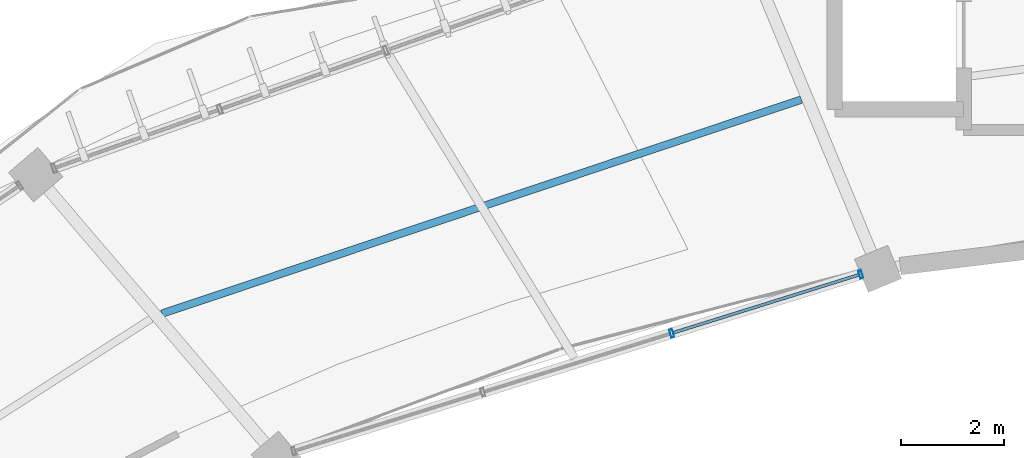
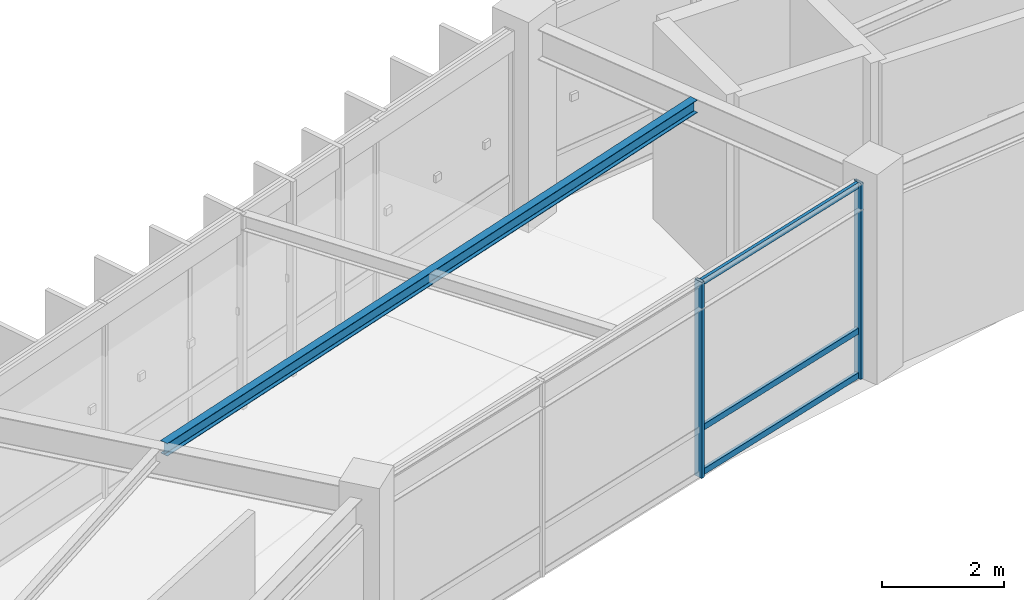
# One storey, part 70 of 152: 5 members, 1 beam, 1 element without a shape of its own.
"""IFC4 building model written with IfcOpenShell, lengths in metres."""

import ifcopenshell
import ifcopenshell.guid

model = None  # the IFC model being written
_history = None  # IfcOwnerHistory: only IFC2X3 demands one
_inside = {}  # id of a spatial element -> (the spatial element, [elements in it])
_under = {}  # id of a project, library or spatial element -> (it, [spatial elements below it])
_declared = {}  # id of a project -> (the project, [libraries it declares])
_typed = {}  # id of a type object -> (the type object, [elements of that type])
_made_of = {}  # id of a material, layer set ... -> (it, [elements and type objects made of it])


def new_model(schema):
    """Start an empty IFC model of exactly this schema.

    Asked for "IFC4X3", IfcOpenShell would pick the latest addendum, in which some entities
    have other attributes; the version numbers below select the first issue.
    IFC2X3 requires an IfcOwnerHistory on every rooted entity: one is made here for all.
    """
    global model, _history
    if schema == "IFC4X3":
        model = ifcopenshell.file(schema_version=(4, 3, 0, 0))
    else:
        model = ifcopenshell.file(schema=schema)
    _inside.clear()
    _under.clear()
    _declared.clear()
    _typed.clear()
    _made_of.clear()
    _history = None
    if model.schema == "IFC2X3":
        org = make("IfcOrganization", Name="unknown")
        user = make(
            "IfcPersonAndOrganization",
            ThePerson=make("IfcPerson", FamilyName="unknown"),
            TheOrganization=org,
        )
        app = make(
            "IfcApplication",
            ApplicationDeveloper=org,
            Version="unknown",
            ApplicationFullName="unknown",
            ApplicationIdentifier="unknown",
        )
        _history = make(
            "IfcOwnerHistory",
            OwningUser=user,
            OwningApplication=app,
            ChangeAction="ADDED",
            CreationDate=0,
        )
    return model


def make(cls, **values):
    """One entity of the class cls with the attributes given. An attribute that is None is left unset."""
    return model.create_entity(
        cls, **{name: value for name, value in values.items() if value is not None}
    )


def rooted(cls, **values):
    """An entity with a GlobalId (a new one), such as an element, a storey or a relation."""
    return make(cls, GlobalId=ifcopenshell.guid.new(), OwnerHistory=_history, **values)


def si_unit(unit_type, name, prefix=None):
    """IfcSIUnit, for example si_unit("LENGTHUNIT", "METRE", prefix="MILLI")."""
    return make("IfcSIUnit", UnitType=unit_type, Prefix=prefix, Name=name)


def assignment(units):
    """IfcUnitAssignment: the units of a project."""
    return None if units is None else make("IfcUnitAssignment", Units=units)


def point(xyz):
    """IfcCartesianPoint."""
    return None if xyz is None else make("IfcCartesianPoint", Coordinates=xyz)


def direction(xyz):
    """IfcDirection."""
    return None if xyz is None else make("IfcDirection", DirectionRatios=xyz)


def frame(location, z_axis=None, x_axis=None):
    """IfcAxis2Placement3D, a coordinate frame: its origin and axes. An axis left out is left unset."""
    return make(
        "IfcAxis2Placement3D",
        Location=point(location),
        Axis=direction(z_axis),
        RefDirection=direction(x_axis),
    )


def frame_2d(location, x_axis=None):
    """IfcAxis2Placement2D, a coordinate frame in the plane: its origin and x axis."""
    return make(
        "IfcAxis2Placement2D", Location=point(location), RefDirection=direction(x_axis)
    )


def origin():
    """The frame at (0, 0, 0) with its axes left unset."""
    return frame((0.0, 0.0, 0.0))


def origin_2d():
    """The frame at (0, 0) in the plane with its x axis left unset."""
    return frame_2d((0.0, 0.0))


def place(relative_to, where):
    """IfcLocalPlacement: puts the frame where relative to a parent placement (None: the world)."""
    return make(
        "IfcLocalPlacement", PlacementRelTo=relative_to, RelativePlacement=where
    )


def context(
    kind, dimensions, precision=None, world=None, true_north=None, identifier=None
):
    """IfcGeometricRepresentationContext, for example the 3D "Model" context."""
    return make(
        "IfcGeometricRepresentationContext",
        ContextIdentifier=identifier,
        ContextType=kind,
        CoordinateSpaceDimension=dimensions,
        Precision=precision,
        WorldCoordinateSystem=world,
        TrueNorth=true_north,
    )


def subcontext(parent, identifier, kind, view, scale=None):
    """IfcGeometricRepresentationSubContext, for example "Body" below "Model"."""
    return make(
        "IfcGeometricRepresentationSubContext",
        ContextIdentifier=identifier,
        ContextType=kind,
        ParentContext=parent,
        TargetScale=scale,
        TargetView=view,
    )


def project(units=None, contexts=None):
    """IfcProject with its units and contexts."""
    return rooted(
        "IfcProject",
        Name="project",
        RepresentationContexts=contexts,
        UnitsInContext=assignment(units),
    )


def spatial(cls, under=None, at=None, **own):
    """A site, building, storey or space (cls), placed at a placement, below another one or the project."""
    s = rooted(cls, ObjectPlacement=at, **own)
    if under is not None:
        _under.setdefault(under.id(), (under, []))[1].append(s)
    return s


def profile(cls, at=None, kind="AREA", **sizes):
    """A parametric profile (cls). Its sizes go by their IFC names, for example OverallWidth=200.0."""
    return make(cls, ProfileType=kind, Position=at, **sizes)


def hollow_rectangle(**sizes):
    """IfcRectangleHollowProfileDef."""
    return profile("IfcRectangleHollowProfileDef", **sizes)


def i_section(**sizes):
    """IfcIShapeProfileDef."""
    return profile("IfcIShapeProfileDef", **sizes)


def extrude(swept, where, along, depth):
    """IfcExtrudedAreaSolid: the profile swept, set in the frame where, extruded along a direction by depth."""
    return make(
        "IfcExtrudedAreaSolid",
        SweptArea=swept,
        Position=where,
        ExtrudedDirection=direction(along),
        Depth=depth,
    )


def shape(context_of_items, identifier, shape_type, items):
    """IfcShapeRepresentation: the items that make up one representation, for example the "Body"."""
    return make(
        "IfcShapeRepresentation",
        ContextOfItems=context_of_items,
        RepresentationIdentifier=identifier,
        RepresentationType=shape_type,
        Items=items,
    )


def material(Name=None, Category=None):
    """IfcMaterial."""
    return make("IfcMaterial", Name=Name, Category=Category)


def material_profile(
    of_material, cross_section, Name=None, Category=None, Priority=None
):
    """IfcMaterialProfile: a cross section and its material."""
    return make(
        "IfcMaterialProfile",
        Name=Name,
        Material=of_material,
        Profile=cross_section,
        Priority=Priority,
        Category=Category,
    )


def profile_set(profiles, Name=None, composite=None):
    """IfcMaterialProfileSet."""
    return make(
        "IfcMaterialProfileSet",
        Name=Name,
        MaterialProfiles=profiles,
        CompositeProfile=composite,
    )


def made_of(thing, what):
    """Note that an element or type object is made of a material, layer set ...; save() writes the relation."""
    if what is not None:
        _made_of.setdefault(what.id(), (what, []))[1].append(thing)
    return thing


def type_object(cls, material=None, **own):
    """A type object (cls), such as IfcWallType, which elements share."""
    return made_of(rooted(cls, **own), material)


def element(
    cls,
    number,
    at=None,
    inside=None,
    cuts=None,
    type_object=None,
    material=None,
    context=None,
    identifier="Body",
    shape_type=None,
    held_by="IfcProductDefinitionShape",
    body=None,
    shapes=None,
    **own,
):
    """One element of the class cls, such as IfcWall. Its Tag is "e" and its number.

    at: its placement. inside: the storey or other place that contains it. cuts: it is an
    opening in that element (IfcRelVoidsElement). A single representation is given by context,
    identifier, shape_type and body (its items); several are given by shapes. held_by: the class
    of the entity that holds the representations. save() writes the other relations.
    """
    e = rooted(cls, Tag="e%d" % number, ObjectPlacement=at, **own)
    if body is not None:
        shapes = [shape(context, identifier, shape_type, body)]
    if shapes is not None:
        e.Representation = make(held_by, Representations=shapes)
    if inside is not None:
        _inside.setdefault(inside.id(), (inside, []))[1].append(e)
    if cuts is not None:
        rooted(
            "IfcRelVoidsElement", RelatingBuildingElement=cuts, RelatedOpeningElement=e
        )
    if type_object is not None:
        _typed.setdefault(type_object.id(), (type_object, []))[1].append(e)
    return made_of(e, material)


def aggregate(whole, parts):
    """IfcRelAggregates: a whole, such as a stair, and the parts it consists of."""
    return rooted("IfcRelAggregates", RelatingObject=whole, RelatedObjects=parts)


def save(model, path):
    """Write the relations noted so far, then the file.

    IfcRelAggregates (storeys below a building ...), IfcRelContainedInSpatialStructure (elements
    in a storey), IfcRelDefinesByType, IfcRelAssociatesMaterial and IfcRelDeclares: one each for
    every whole, place, type object, material and project.
    """
    for whole, parts in _under.values():
        aggregate(whole, parts)
    for where, things in _inside.values():
        rooted(
            "IfcRelContainedInSpatialStructure",
            RelatedElements=things,
            RelatingStructure=where,
        )
    for kind, things in _typed.values():
        rooted("IfcRelDefinesByType", RelatedObjects=things, RelatingType=kind)
    for what, things in _made_of.values():
        rooted("IfcRelAssociatesMaterial", RelatedObjects=things, RelatingMaterial=what)
    for by, libraries in _declared.values():
        rooted("IfcRelDeclares", RelatingContext=by, RelatedDefinitions=libraries)
    model.write(path)


model = new_model("IFC4")

# Units and contexts
model_context = context("Model", 3, precision=1e-05, world=origin(), true_north=direction((0.0, 1.0)))
body_context = subcontext(model_context, "Body", "Model", "MODEL_VIEW")
ifc_project = project(units=[si_unit("LENGTHUNIT", "METRE"), si_unit("AREAUNIT", "SQUARE_METRE"), si_unit("VOLUMEUNIT", "CUBIC_METRE"), si_unit("PLANEANGLEUNIT", "RADIAN"), si_unit("MASSUNIT", "GRAM", prefix="KILO"), si_unit("THERMODYNAMICTEMPERATUREUNIT", "KELVIN"), si_unit("POWERUNIT", "WATT")], contexts=[model_context])

# Site, building, storey
site_placement = place(None, origin())
site = spatial("IfcSite", under=ifc_project, at=site_placement, CompositionType="ELEMENT")
building_placement = place(site_placement, origin())
building = spatial("IfcBuilding", under=site, at=building_placement, Name="Darbajah Civic Hall", CompositionType="ELEMENT")
storey_placement = place(building_placement, frame((0.0, 0.0, 5.39990234375)))
storey = spatial("IfcBuildingStorey", under=building, at=storey_placement, Name="L01", CompositionType="ELEMENT", Elevation=5.39990234375)

# Curtain wall, members
ifc_material_1 = material(Name="Anodised Bronze Aluminium and Low-E Glazing", Category="aluminium")
curtain_wall_type = type_object("IfcCurtainWallType", Name="Unitised Curtain Wall CW-25 11500x3900", PredefinedType="USERDEFINED", material=ifc_material_1)
curtain_wall_placement = place(storey_placement, origin())
curtain_wall = element("IfcCurtainWall", 1, at=curtain_wall_placement, inside=storey, type_object=curtain_wall_type, Name="L01 unitised curtain wall CW-V1I-L01-06", ObjectType="UNITISED CURTAIN WALL", PredefinedType="USERDEFINED")
ifc_material_2 = material(Name="Anodised Bronze Aluminium", Category="aluminium")
ifc_material_profile_1 = material_profile(ifc_material_2, hollow_rectangle(XDim=0.06005859375, YDim=0.159912109375, WallThickness=0.00341796875, at=origin_2d()), Name="ALU MULLION 60x160")
ifc_profile_set_1 = profile_set([ifc_material_profile_1], Name="Anodised Bronze Aluminium")
member_type_1 = type_object("IfcMemberType", Name="ALU MULLION 60x160", PredefinedType="MULLION", material=ifc_profile_set_1)
member_1_placement = place(storey_placement, frame((72.00244140625, 110.297607421875, 0.0), z_axis=(0.0, 0.0, 1.0), x_axis=(-0.954604963513, -0.297874744877, 0.0)))
member_1 = element("IfcMember", 2, at=member_1_placement, type_object=member_type_1, Name="CW-V1I-L01-06 mullion 1", PredefinedType="MULLION", context=body_context, shape_type="SweptSolid", body=[
    extrude(hollow_rectangle(XDim=0.06005859375, YDim=0.159912109375, WallThickness=0.00341796875, at=origin_2d()), origin(), (0.0, 0.0, 1.0), 3.920166015625),
])
member_2_placement = place(storey_placement, frame((68.331787109375, 109.15234375, 0.0), z_axis=(0.0, 0.0, 1.0), x_axis=(-0.954604963513, -0.297874744877, 0.0)))
member_2 = element("IfcMember", 3, at=member_2_placement, type_object=member_type_1, Name="CW-V1I-L01-06 mullion 2", PredefinedType="MULLION", context=body_context, shape_type="SweptSolid", body=[
    extrude(hollow_rectangle(XDim=0.06005859375, YDim=0.159912109375, WallThickness=0.00341796875, at=origin_2d()), origin(), (0.0, 0.0, 1.0), 3.920166015625),
])
ifc_material_profile_2 = material_profile(ifc_material_2, hollow_rectangle(XDim=0.06005859375, YDim=0.1201171875, WallThickness=0.003173828125, at=origin_2d()), Name="ALU TRANSOM 60x120")
ifc_profile_set_2 = profile_set([ifc_material_profile_2], Name="Anodised Bronze Aluminium")
member_type_2 = type_object("IfcMemberType", Name="ALU TRANSOM 60x120", PredefinedType="USERDEFINED", material=ifc_profile_set_2)
member_3_placement = place(storey_placement, frame((71.968994140625, 110.287353515625, 0.06005859375), z_axis=(-0.954611060349, -0.297855205526, 0.0), x_axis=(0.297855205526, -0.954611060349, 0.0)))
member_3 = element("IfcMember", 4, at=member_3_placement, type_object=member_type_2, Name="CW-V1I-L01-06 transom 1.1", ObjectType="TRANSOM", PredefinedType="USERDEFINED", context=body_context, shape_type="SweptSolid", body=[
    extrude(hollow_rectangle(XDim=0.06005859375, YDim=0.1201171875, WallThickness=0.003173828125, at=origin_2d()), origin(), (0.0, 0.0, 1.0), 3.775390625),
])
member_4_placement = place(storey_placement, frame((71.968994140625, 110.287353515625, 0.9501953125), z_axis=(-0.954611060349, -0.297855205526, 0.0), x_axis=(0.297855205526, -0.954611060349, 0.0)))
member_4 = element("IfcMember", 5, at=member_4_placement, type_object=member_type_2, Name="CW-V1I-L01-06 transom 1.2", ObjectType="TRANSOM", PredefinedType="USERDEFINED", context=body_context, shape_type="SweptSolid", body=[
    extrude(hollow_rectangle(XDim=0.06005859375, YDim=0.1201171875, WallThickness=0.003173828125, at=origin_2d()), origin(), (0.0, 0.0, 1.0), 3.775390625),
])
member_5_placement = place(storey_placement, frame((71.968994140625, 110.287353515625, 3.860107421875), z_axis=(-0.954611060349, -0.297855205526, 0.0), x_axis=(0.297855205526, -0.954611060349, 0.0)))
member_5 = element("IfcMember", 6, at=member_5_placement, type_object=member_type_2, Name="CW-V1I-L01-06 transom 1.3", ObjectType="TRANSOM", PredefinedType="USERDEFINED", context=body_context, shape_type="SweptSolid", body=[
    extrude(hollow_rectangle(XDim=0.06005859375, YDim=0.1201171875, WallThickness=0.003173828125, at=origin_2d()), origin(), (0.0, 0.0, 1.0), 3.775390625),
])
aggregate(curtain_wall, [member_1, member_2, member_3, member_4, member_5])

# Beam
ifc_material_3 = material(Name="Steel S355JR", Category="steel")
ifc_material_profile_3 = material_profile(ifc_material_3, i_section(OverallWidth=0.146484375, OverallDepth=0.256103515625, WebThickness=0.00634765625, FlangeThickness=0.010986328125, FilletRadius=0.007568359375, at=origin_2d()), Name="UB 254x146x37")
ifc_profile_set_3 = profile_set([ifc_material_profile_3], Name="Steel S355JR")
beam_type = type_object("IfcBeamType", Name="UB 254x146x37", PredefinedType="JOIST", material=ifc_profile_set_3)
beam_placement = place(storey_placement, frame((70.850830078125, 113.691650390625, 3.7919921875), z_axis=(-0.948257615403, -0.317501960357, 0.0), x_axis=(0.317501960357, -0.948257615403, 0.0)))
element("IfcBeam", 7, at=beam_placement, inside=storey, type_object=beam_type, Name="L01 beam SJ-254", PredefinedType="JOIST", context=body_context, shape_type="SweptSolid", body=[
    extrude(i_section(OverallWidth=0.146484375, OverallDepth=0.256103515625, WebThickness=0.00634765625, FlangeThickness=0.010986328125, FilletRadius=0.007568359375, at=origin_2d()), origin(), (0.0, 0.0, 1.0), 13.102783203125),
])

save(model, "model.ifc")
